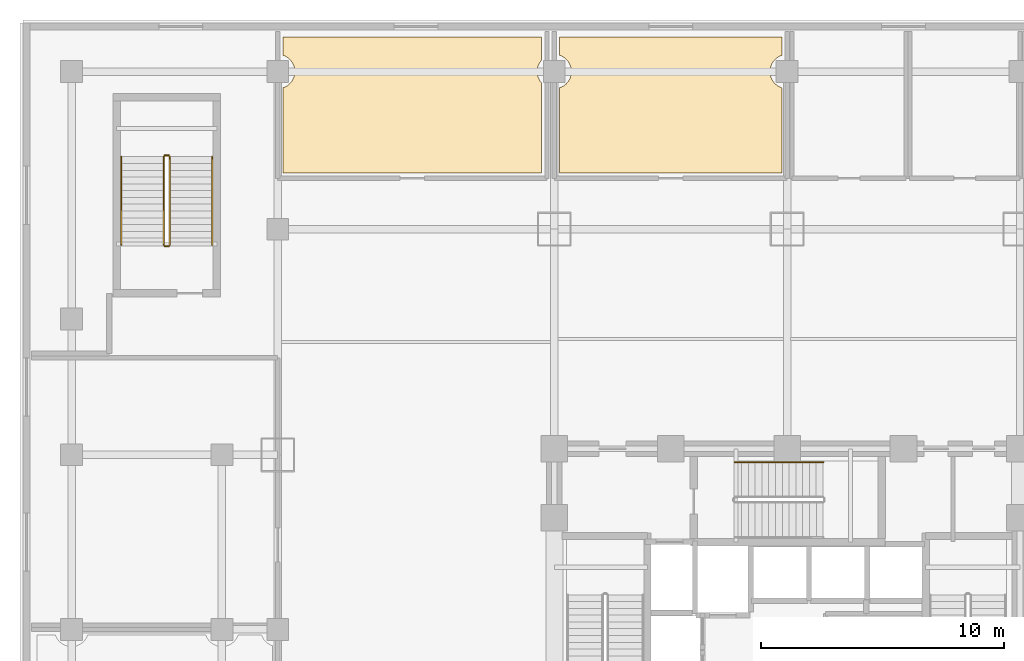
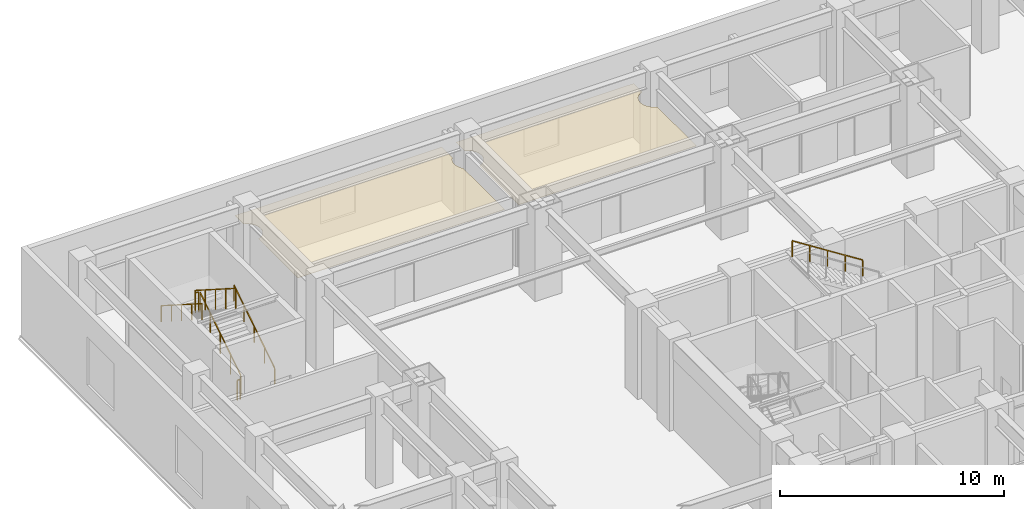
# One storey, part 22 of 24: 7 railings, 2 coverings.
"""IFC4 building model written with IfcOpenShell, lengths in metres."""

import ifcopenshell
import ifcopenshell.guid

model = None  # the IFC model being written
_history = None  # IfcOwnerHistory: only IFC2X3 demands one
_inside = {}  # id of a spatial element -> (the spatial element, [elements in it])
_under = {}  # id of a project, library or spatial element -> (it, [spatial elements below it])
_declared = {}  # id of a project -> (the project, [libraries it declares])
_typed = {}  # id of a type object -> (the type object, [elements of that type])
_made_of = {}  # id of a material, layer set ... -> (it, [elements and type objects made of it])


def new_model(schema):
    """Start an empty IFC model of exactly this schema.

    Asked for "IFC4X3", IfcOpenShell would pick the latest addendum, in which some entities
    have other attributes; the version numbers below select the first issue.
    IFC2X3 requires an IfcOwnerHistory on every rooted entity: one is made here for all.
    """
    global model, _history
    if schema == "IFC4X3":
        model = ifcopenshell.file(schema_version=(4, 3, 0, 0))
    else:
        model = ifcopenshell.file(schema=schema)
    _inside.clear()
    _under.clear()
    _declared.clear()
    _typed.clear()
    _made_of.clear()
    _history = None
    if model.schema == "IFC2X3":
        org = make("IfcOrganization", Name="unknown")
        user = make(
            "IfcPersonAndOrganization",
            ThePerson=make("IfcPerson", FamilyName="unknown"),
            TheOrganization=org,
        )
        app = make(
            "IfcApplication",
            ApplicationDeveloper=org,
            Version="unknown",
            ApplicationFullName="unknown",
            ApplicationIdentifier="unknown",
        )
        _history = make(
            "IfcOwnerHistory",
            OwningUser=user,
            OwningApplication=app,
            ChangeAction="ADDED",
            CreationDate=0,
        )
    return model


def make(cls, **values):
    """One entity of the class cls with the attributes given. An attribute that is None is left unset."""
    return model.create_entity(
        cls, **{name: value for name, value in values.items() if value is not None}
    )


def rooted(cls, **values):
    """An entity with a GlobalId (a new one), such as an element, a storey or a relation."""
    return make(cls, GlobalId=ifcopenshell.guid.new(), OwnerHistory=_history, **values)


def si_unit(unit_type, name, prefix=None):
    """IfcSIUnit, for example si_unit("LENGTHUNIT", "METRE", prefix="MILLI")."""
    return make("IfcSIUnit", UnitType=unit_type, Prefix=prefix, Name=name)


def assignment(units):
    """IfcUnitAssignment: the units of a project."""
    return None if units is None else make("IfcUnitAssignment", Units=units)


def point(xyz):
    """IfcCartesianPoint."""
    return None if xyz is None else make("IfcCartesianPoint", Coordinates=xyz)


def direction(xyz):
    """IfcDirection."""
    return None if xyz is None else make("IfcDirection", DirectionRatios=xyz)


def frame(location, z_axis=None, x_axis=None):
    """IfcAxis2Placement3D, a coordinate frame: its origin and axes. An axis left out is left unset."""
    return make(
        "IfcAxis2Placement3D",
        Location=point(location),
        Axis=direction(z_axis),
        RefDirection=direction(x_axis),
    )


def frame_2d(location, x_axis=None):
    """IfcAxis2Placement2D, a coordinate frame in the plane: its origin and x axis."""
    return make(
        "IfcAxis2Placement2D", Location=point(location), RefDirection=direction(x_axis)
    )


def origin():
    """The frame at (0, 0, 0) with its axes left unset."""
    return frame((0.0, 0.0, 0.0))


def origin_2d():
    """The frame at (0, 0) in the plane with its x axis left unset."""
    return frame_2d((0.0, 0.0))


def place(relative_to, where):
    """IfcLocalPlacement: puts the frame where relative to a parent placement (None: the world)."""
    return make(
        "IfcLocalPlacement", PlacementRelTo=relative_to, RelativePlacement=where
    )


def context(
    kind, dimensions, precision=None, world=None, true_north=None, identifier=None
):
    """IfcGeometricRepresentationContext, for example the 3D "Model" context."""
    return make(
        "IfcGeometricRepresentationContext",
        ContextIdentifier=identifier,
        ContextType=kind,
        CoordinateSpaceDimension=dimensions,
        Precision=precision,
        WorldCoordinateSystem=world,
        TrueNorth=true_north,
    )


def subcontext(parent, identifier, kind, view, scale=None):
    """IfcGeometricRepresentationSubContext, for example "Body" below "Model"."""
    return make(
        "IfcGeometricRepresentationSubContext",
        ContextIdentifier=identifier,
        ContextType=kind,
        ParentContext=parent,
        TargetScale=scale,
        TargetView=view,
    )


def project(units=None, contexts=None):
    """IfcProject with its units and contexts."""
    return rooted(
        "IfcProject",
        Name="project",
        RepresentationContexts=contexts,
        UnitsInContext=assignment(units),
    )


def spatial(cls, under=None, at=None, **own):
    """A site, building, storey or space (cls), placed at a placement, below another one or the project."""
    s = rooted(cls, ObjectPlacement=at, **own)
    if under is not None:
        _under.setdefault(under.id(), (under, []))[1].append(s)
    return s


def polyline(points):
    """IfcPolyline through the points."""
    return make("IfcPolyline", Points=[point(p) for p in points])


def profile(cls, at=None, kind="AREA", **sizes):
    """A parametric profile (cls). Its sizes go by their IFC names, for example OverallWidth=200.0."""
    return make(cls, ProfileType=kind, Position=at, **sizes)


def rectangle(**sizes):
    """IfcRectangleProfileDef."""
    return profile("IfcRectangleProfileDef", **sizes)


def outline(outer, holes=None, kind="AREA"):
    """IfcArbitraryClosedProfileDef: a profile drawn as a closed curve; with holes, ...WithVoids."""
    if holes is None:
        return make("IfcArbitraryClosedProfileDef", ProfileType=kind, OuterCurve=outer)
    return make(
        "IfcArbitraryProfileDefWithVoids",
        ProfileType=kind,
        OuterCurve=outer,
        InnerCurves=holes,
    )


def extrude(swept, where, along, depth):
    """IfcExtrudedAreaSolid: the profile swept, set in the frame where, extruded along a direction by depth."""
    return make(
        "IfcExtrudedAreaSolid",
        SweptArea=swept,
        Position=where,
        ExtrudedDirection=direction(along),
        Depth=depth,
    )


def shape(context_of_items, identifier, shape_type, items):
    """IfcShapeRepresentation: the items that make up one representation, for example the "Body"."""
    return make(
        "IfcShapeRepresentation",
        ContextOfItems=context_of_items,
        RepresentationIdentifier=identifier,
        RepresentationType=shape_type,
        Items=items,
    )


def material(Name=None, Category=None):
    """IfcMaterial."""
    return make("IfcMaterial", Name=Name, Category=Category)


def layer(
    of_material, thickness, ventilated=None, Name=None, Category=None, Priority=None
):
    """IfcMaterialLayer: one layer of a wall or slab, of a material (None: an air gap)."""
    return make(
        "IfcMaterialLayer",
        Material=of_material,
        LayerThickness=thickness,
        IsVentilated=ventilated,
        Name=Name,
        Category=Category,
        Priority=Priority,
    )


def layer_set(layers, Name=None):
    """IfcMaterialLayerSet."""
    return make("IfcMaterialLayerSet", MaterialLayers=layers, LayerSetName=Name)


def made_of(thing, what):
    """Note that an element or type object is made of a material, layer set ...; save() writes the relation."""
    if what is not None:
        _made_of.setdefault(what.id(), (what, []))[1].append(thing)
    return thing


def type_object(cls, material=None, **own):
    """A type object (cls), such as IfcWallType, which elements share."""
    return made_of(rooted(cls, **own), material)


def element(
    cls,
    number,
    at=None,
    inside=None,
    cuts=None,
    type_object=None,
    material=None,
    context=None,
    identifier="Body",
    shape_type=None,
    held_by="IfcProductDefinitionShape",
    body=None,
    shapes=None,
    **own,
):
    """One element of the class cls, such as IfcWall. Its Tag is "e" and its number.

    at: its placement. inside: the storey or other place that contains it. cuts: it is an
    opening in that element (IfcRelVoidsElement). A single representation is given by context,
    identifier, shape_type and body (its items); several are given by shapes. held_by: the class
    of the entity that holds the representations. save() writes the other relations.
    """
    e = rooted(cls, Tag="e%d" % number, ObjectPlacement=at, **own)
    if body is not None:
        shapes = [shape(context, identifier, shape_type, body)]
    if shapes is not None:
        e.Representation = make(held_by, Representations=shapes)
    if inside is not None:
        _inside.setdefault(inside.id(), (inside, []))[1].append(e)
    if cuts is not None:
        rooted(
            "IfcRelVoidsElement", RelatingBuildingElement=cuts, RelatedOpeningElement=e
        )
    if type_object is not None:
        _typed.setdefault(type_object.id(), (type_object, []))[1].append(e)
    return made_of(e, material)


def aggregate(whole, parts):
    """IfcRelAggregates: a whole, such as a stair, and the parts it consists of."""
    return rooted("IfcRelAggregates", RelatingObject=whole, RelatedObjects=parts)


def save(model, path):
    """Write the relations noted so far, then the file.

    IfcRelAggregates (storeys below a building ...), IfcRelContainedInSpatialStructure (elements
    in a storey), IfcRelDefinesByType, IfcRelAssociatesMaterial and IfcRelDeclares: one each for
    every whole, place, type object, material and project.
    """
    for whole, parts in _under.values():
        aggregate(whole, parts)
    for where, things in _inside.values():
        rooted(
            "IfcRelContainedInSpatialStructure",
            RelatedElements=things,
            RelatingStructure=where,
        )
    for kind, things in _typed.values():
        rooted("IfcRelDefinesByType", RelatedObjects=things, RelatingType=kind)
    for what, things in _made_of.values():
        rooted("IfcRelAssociatesMaterial", RelatedObjects=things, RelatingMaterial=what)
    for by, libraries in _declared.values():
        rooted("IfcRelDeclares", RelatingContext=by, RelatedDefinitions=libraries)
    model.write(path)


model = new_model("IFC4")

# Units and contexts
model_context = context("Model", 3, precision=1e-05, world=origin(), true_north=direction((0.0, 1.0)))
body_context = subcontext(model_context, "Body", "Model", "MODEL_VIEW")
ifc_project = project(units=[si_unit("LENGTHUNIT", "METRE"), si_unit("AREAUNIT", "SQUARE_METRE"), si_unit("VOLUMEUNIT", "CUBIC_METRE"), si_unit("PLANEANGLEUNIT", "RADIAN"), si_unit("MASSUNIT", "GRAM", prefix="KILO")], contexts=[model_context])

# Site, building, storey
site_placement = place(None, origin())
site = spatial("IfcSite", under=ifc_project, at=site_placement, CompositionType="ELEMENT")
building_placement = place(site_placement, origin())
building = spatial("IfcBuilding", under=site, at=building_placement, Name="Vantalir Tower", CompositionType="ELEMENT")
storey_placement = place(building_placement, frame((0.0, 0.0, 6.0)))
storey = spatial("IfcBuildingStorey", under=building, at=storey_placement, Name="L01", CompositionType="ELEMENT", Elevation=6.0)

# Coverings
ifc_material_1 = material(Name="Perforated acoustic gypsum ceiling board", Category="gypsum")
ifc_layer = layer(ifc_material_1, 0.02001953125)
ifc_layer_set = layer_set([ifc_layer], Name="Perforated acoustic gypsum ceiling board")
covering_type = type_object("IfcCoveringType", Name="COV-ACOUSTIC-CEIL-20", PredefinedType="CEILING", material=ifc_layer_set)
covering_1_placement = place(storey_placement, frame((0.0, 0.0, 3.1298828125)))
element("IfcCovering", 1, at=covering_1_placement, inside=storey, type_object=covering_type, Name="Level 01 Hospitality Administration Office Suspended Ceiling", PredefinedType="CEILING", context=body_context, shape_type="SweptSolid", body=[
    extrude(outline(polyline([(21.3798828125, 49.429931640625), (10.719970703125, 49.429931640625), (10.719970703125, 48.6689453125), (10.77001953125, 48.65087890625), (10.83203125, 48.6220703125), (10.89208984375, 48.5859375), (10.947021484375, 48.544921875), (10.9990234375, 48.4990234375), (11.044921875, 48.447021484375), (11.0859375, 48.39208984375), (11.1220703125, 48.33203125), (11.15087890625, 48.27001953125), (11.175048828125, 48.205078125), (11.19091796875, 48.137939453125), (11.201904296875, 48.069091796875), (11.205078125, 48.0), (11.201904296875, 47.930908203125), (11.19091796875, 47.862060546875), (11.175048828125, 47.794921875), (11.15087890625, 47.72998046875), (11.1220703125, 47.66796875), (11.0859375, 47.60791015625), (11.044921875, 47.552978515625), (10.9990234375, 47.5009765625), (10.947021484375, 47.455078125), (10.89208984375, 47.4140625), (10.83203125, 47.3779296875), (10.77001953125, 47.34912109375), (10.719970703125, 47.3310546875), (10.719970703125, 43.820068359375), (21.3798828125, 43.820068359375), (21.3798828125, 47.52490234375), (21.35498046875, 47.552978515625), (21.31396484375, 47.60791015625), (21.278076171875, 47.66796875), (21.2490234375, 47.72998046875), (21.22509765625, 47.794921875), (21.208984375, 47.862060546875), (21.197998046875, 47.930908203125), (21.195068359375, 48.0), (21.197998046875, 48.069091796875), (21.208984375, 48.137939453125), (21.22509765625, 48.205078125), (21.2490234375, 48.27001953125), (21.278076171875, 48.33203125), (21.31396484375, 48.39208984375), (21.35498046875, 48.447021484375), (21.3798828125, 48.47509765625), (21.3798828125, 49.429931640625)])), origin(), (0.0, 0.0, 1.0), 0.02001953125),
])
covering_2_placement = place(storey_placement, frame((0.0, 0.0, 3.1298828125)))
element("IfcCovering", 2, at=covering_2_placement, inside=storey, type_object=covering_type, Name="Level 01 Executive Chef Banquet Room Suspended Ceiling", PredefinedType="CEILING", context=body_context, shape_type="SweptSolid", body=[
    extrude(outline(polyline([(31.280029296875, 49.429931640625), (22.1201171875, 49.429931640625), (22.1201171875, 48.6689453125), (22.169921875, 48.65087890625), (22.23193359375, 48.6220703125), (22.2919921875, 48.5859375), (22.346923828125, 48.544921875), (22.39892578125, 48.4990234375), (22.445068359375, 48.447021484375), (22.486083984375, 48.39208984375), (22.52197265625, 48.33203125), (22.551025390625, 48.27001953125), (22.574951171875, 48.205078125), (22.591064453125, 48.137939453125), (22.60205078125, 48.069091796875), (22.60498046875, 48.0), (22.60205078125, 47.930908203125), (22.591064453125, 47.862060546875), (22.574951171875, 47.794921875), (22.551025390625, 47.72998046875), (22.52197265625, 47.66796875), (22.486083984375, 47.60791015625), (22.445068359375, 47.552978515625), (22.39892578125, 47.5009765625), (22.346923828125, 47.455078125), (22.2919921875, 47.4140625), (22.23193359375, 47.3779296875), (22.169921875, 47.34912109375), (22.1201171875, 47.3310546875), (22.1201171875, 43.820068359375), (31.280029296875, 43.820068359375), (31.280029296875, 47.3310546875), (31.22998046875, 47.34912109375), (31.16796875, 47.3779296875), (31.10791015625, 47.4140625), (31.052978515625, 47.455078125), (31.0009765625, 47.5009765625), (30.955078125, 47.552978515625), (30.9140625, 47.60791015625), (30.8779296875, 47.66796875), (30.84912109375, 47.72998046875), (30.824951171875, 47.794921875), (30.80908203125, 47.862060546875), (30.798095703125, 47.930908203125), (30.794921875, 48.0), (30.798095703125, 48.069091796875), (30.80908203125, 48.137939453125), (30.824951171875, 48.205078125), (30.84912109375, 48.27001953125), (30.8779296875, 48.33203125), (30.9140625, 48.39208984375), (30.955078125, 48.447021484375), (31.0009765625, 48.4990234375), (31.052978515625, 48.544921875), (31.10791015625, 48.5859375), (31.16796875, 48.6220703125), (31.22998046875, 48.65087890625), (31.280029296875, 48.6689453125), (31.280029296875, 49.429931640625)])), origin(), (0.0, 0.0, 1.0), 0.02001953125),
])

# Railings
ifc_material_2 = material(Name="Anodised aluminium and stainless steel guard", Category="steel")
railing_type_1 = type_object("IfcRailingType", Name="RAL-GUARD-1120", PredefinedType="GUARDRAIL", material=ifc_material_2)
railing_1_placement = place(storey_placement, frame((6.050048828125, 40.85009765625, 0.178466796875)))
element("IfcRailing", 3, at=railing_1_placement, inside=storey, type_object=railing_type_1, Name="Level 01 PST1 stair guard 1", PredefinedType="GUARDRAIL", context=body_context, shape_type="SweptSolid", body=[
    extrude(rectangle(XDim=0.048095703125, YDim=0.048095703125, at=origin_2d()), frame((0.0, 0.0, 1.09619140625), z_axis=(0.0, 0.843111507901, 0.53773877045), x_axis=(-1.0, 0.0, 0.0)), (0.0, 0.0, 1.0), 4.317138671875),
    extrude(rectangle(XDim=0.0419921875, YDim=0.0419921875, at=origin_2d()), origin(), (0.0, 0.0, 1.0), 1.072021484375),
    extrude(rectangle(XDim=0.0419921875, YDim=0.0419921875, at=origin_2d()), frame((0.0, 0.909912109375, 0.580322265625)), (0.0, 0.0, 1.0), 1.072021484375),
    extrude(rectangle(XDim=0.0419921875, YDim=0.0419921875, at=origin_2d()), frame((0.0, 1.81982421875, 1.16064453125)), (0.0, 0.0, 1.0), 1.072021484375),
    extrude(rectangle(XDim=0.0419921875, YDim=0.0419921875, at=origin_2d()), frame((0.0, 2.72998046875, 1.7412109375)), (0.0, 0.0, 1.0), 1.072021484375),
    extrude(rectangle(XDim=0.0419921875, YDim=0.0419921875, at=origin_2d()), frame((0.0, 3.639892578125, 2.321533203125)), (0.0, 0.0, 1.0), 1.072021484375),
])
railing_2_placement = place(storey_placement, frame((6.0, 44.5400390625, 2.5)))
element("IfcRailing", 4, at=railing_2_placement, inside=storey, type_object=railing_type_1, Name="Level 01 PST1 stair guard 2", PredefinedType="GUARDRAIL", context=body_context, shape_type="SweptSolid", body=[
    extrude(rectangle(XDim=0.048095703125, YDim=0.048095703125, at=origin_2d()), frame((0.0, 0.0, 1.09619140625), z_axis=(-1.0, 0.0, 0.0), x_axis=(0.0, -1.0, 0.0)), (0.0, 0.0, 1.0), 0.14990234375),
    extrude(rectangle(XDim=0.0419921875, YDim=0.0419921875, at=origin_2d()), origin(), (0.0, 0.0, 1.0), 1.072021484375),
    extrude(rectangle(XDim=0.0419921875, YDim=0.0419921875, at=origin_2d()), frame((-0.14990234375, 0.0, 0.0)), (0.0, 0.0, 1.0), 1.072021484375),
])
railing_3_placement = place(storey_placement, frame((5.800048828125, 44.489990234375, 2.678466796875)))
element("IfcRailing", 5, at=railing_3_placement, inside=storey, type_object=railing_type_1, Name="Level 01 PST1 stair guard 3", PredefinedType="GUARDRAIL", context=body_context, shape_type="SweptSolid", body=[
    extrude(rectangle(XDim=0.048095703125, YDim=0.048095703125, at=origin_2d()), frame((0.0, 0.0, 1.09619140625), z_axis=(0.0, -0.843111507901, 0.53773877045), x_axis=(1.0, 0.0, 0.0)), (0.0, 0.0, 1.0), 4.317138671875),
    extrude(rectangle(XDim=0.0419921875, YDim=0.0419921875, at=origin_2d()), origin(), (0.0, 0.0, 1.0), 1.072021484375),
    extrude(rectangle(XDim=0.0419921875, YDim=0.0419921875, at=origin_2d()), frame((0.0, -0.909912109375, 0.580322265625)), (0.0, 0.0, 1.0), 1.072021484375),
    extrude(rectangle(XDim=0.0419921875, YDim=0.0419921875, at=origin_2d()), frame((0.0, -1.81982421875, 1.16064453125)), (0.0, 0.0, 1.0), 1.072021484375),
    extrude(rectangle(XDim=0.0419921875, YDim=0.0419921875, at=origin_2d()), frame((0.0, -2.72998046875, 1.7412109375)), (0.0, 0.0, 1.0), 1.072021484375),
    extrude(rectangle(XDim=0.0419921875, YDim=0.0419921875, at=origin_2d()), frame((0.0, -3.639892578125, 2.321533203125)), (0.0, 0.0, 1.0), 1.072021484375),
])
railing_4_placement = place(storey_placement, frame((6.0, 40.800048828125, 0.0)))
element("IfcRailing", 6, at=railing_4_placement, inside=storey, type_object=railing_type_1, Name="Level 01 PST1 stair guard 4", PredefinedType="GUARDRAIL", context=body_context, shape_type="SweptSolid", body=[
    extrude(rectangle(XDim=0.048095703125, YDim=0.048095703125, at=origin_2d()), frame((0.0, 0.0, 1.09619140625), z_axis=(-1.0, 0.0, 0.0), x_axis=(0.0, -1.0, 0.0)), (0.0, 0.0, 1.0), 0.14990234375),
    extrude(rectangle(XDim=0.0419921875, YDim=0.0419921875, at=origin_2d()), origin(), (0.0, 0.0, 1.0), 1.072021484375),
    extrude(rectangle(XDim=0.0419921875, YDim=0.0419921875, at=origin_2d()), frame((-0.14990234375, 0.0, 0.0)), (0.0, 0.0, 1.0), 1.072021484375),
])
ifc_material_3 = material(Name="Brushed stainless steel tubular handrail", Category="steel")
railing_type_2 = type_object("IfcRailingType", Name="RAL-HANDRAIL-900", PredefinedType="HANDRAIL", material=ifc_material_3)
railing_5_placement = place(storey_placement, frame((32.97998046875, 31.89990234375, 2.678466796875)))
element("IfcRailing", 7, at=railing_5_placement, inside=storey, type_object=railing_type_2, Name="Level 01 ST3 stair handrail 2", PredefinedType="HANDRAIL", context=body_context, shape_type="SweptSolid", body=[
    extrude(rectangle(XDim=0.048095703125, YDim=0.048095703125, at=origin_2d()), frame((0.0, 0.0, 0.8759765625), z_axis=(-0.843111507901, 0.0, 0.53773877045), x_axis=(0.0, -1.0, 0.0)), (0.0, 0.0, 1.0), 4.317138671875),
    extrude(rectangle(XDim=0.0419921875, YDim=0.0419921875, at=origin_2d()), origin(), (0.0, 0.0, 1.0), 0.851806640625),
    extrude(rectangle(XDim=0.0419921875, YDim=0.0419921875, at=origin_2d()), frame((-0.909912109375, 0.0, 0.580322265625)), (0.0, 0.0, 1.0), 0.851806640625),
    extrude(rectangle(XDim=0.0419921875, YDim=0.0419921875, at=origin_2d()), frame((-1.81982421875, 0.0, 1.16064453125)), (0.0, 0.0, 1.0), 0.851806640625),
    extrude(rectangle(XDim=0.0419921875, YDim=0.0419921875, at=origin_2d()), frame((-2.72998046875, 0.0, 1.7412109375)), (0.0, 0.0, 1.0), 0.851806640625),
    extrude(rectangle(XDim=0.0419921875, YDim=0.0419921875, at=origin_2d()), frame((-3.639892578125, 0.0, 2.321533203125)), (0.0, 0.0, 1.0), 0.851806640625),
])
railing_6_placement = place(storey_placement, frame((7.800048828125, 40.85009765625, 0.178466796875)))
element("IfcRailing", 8, at=railing_6_placement, inside=storey, type_object=railing_type_2, Name="Level 01 PST1 stair handrail 1", PredefinedType="HANDRAIL", context=body_context, shape_type="SweptSolid", body=[
    extrude(rectangle(XDim=0.048095703125, YDim=0.048095703125, at=origin_2d()), frame((0.0, 0.0, 0.8759765625), z_axis=(0.0, 0.843111507901, 0.53773877045), x_axis=(-1.0, 0.0, 0.0)), (0.0, 0.0, 1.0), 4.317138671875),
    extrude(rectangle(XDim=0.0419921875, YDim=0.0419921875, at=origin_2d()), origin(), (0.0, 0.0, 1.0), 0.851806640625),
    extrude(rectangle(XDim=0.0419921875, YDim=0.0419921875, at=origin_2d()), frame((0.0, 0.909912109375, 0.580322265625)), (0.0, 0.0, 1.0), 0.851806640625),
    extrude(rectangle(XDim=0.0419921875, YDim=0.0419921875, at=origin_2d()), frame((0.0, 1.81982421875, 1.16064453125)), (0.0, 0.0, 1.0), 0.851806640625),
    extrude(rectangle(XDim=0.0419921875, YDim=0.0419921875, at=origin_2d()), frame((0.0, 2.72998046875, 1.7412109375)), (0.0, 0.0, 1.0), 0.851806640625),
    extrude(rectangle(XDim=0.0419921875, YDim=0.0419921875, at=origin_2d()), frame((0.0, 3.639892578125, 2.321533203125)), (0.0, 0.0, 1.0), 0.851806640625),
])
railing_7_placement = place(storey_placement, frame((4.050048828125, 44.489990234375, 2.678466796875)))
element("IfcRailing", 9, at=railing_7_placement, inside=storey, type_object=railing_type_2, Name="Level 01 PST1 stair handrail 2", PredefinedType="HANDRAIL", context=body_context, shape_type="SweptSolid", body=[
    extrude(rectangle(XDim=0.048095703125, YDim=0.048095703125, at=origin_2d()), frame((0.0, 0.0, 0.8759765625), z_axis=(0.0, -0.843111507901, 0.53773877045), x_axis=(1.0, 0.0, 0.0)), (0.0, 0.0, 1.0), 4.317138671875),
    extrude(rectangle(XDim=0.0419921875, YDim=0.0419921875, at=origin_2d()), origin(), (0.0, 0.0, 1.0), 0.851806640625),
    extrude(rectangle(XDim=0.0419921875, YDim=0.0419921875, at=origin_2d()), frame((0.0, -0.909912109375, 0.580322265625)), (0.0, 0.0, 1.0), 0.851806640625),
    extrude(rectangle(XDim=0.0419921875, YDim=0.0419921875, at=origin_2d()), frame((0.0, -1.81982421875, 1.16064453125)), (0.0, 0.0, 1.0), 0.851806640625),
    extrude(rectangle(XDim=0.0419921875, YDim=0.0419921875, at=origin_2d()), frame((0.0, -2.72998046875, 1.7412109375)), (0.0, 0.0, 1.0), 0.851806640625),
    extrude(rectangle(XDim=0.0419921875, YDim=0.0419921875, at=origin_2d()), frame((0.0, -3.639892578125, 2.321533203125)), (0.0, 0.0, 1.0), 0.851806640625),
])

save(model, "model.ifc")
